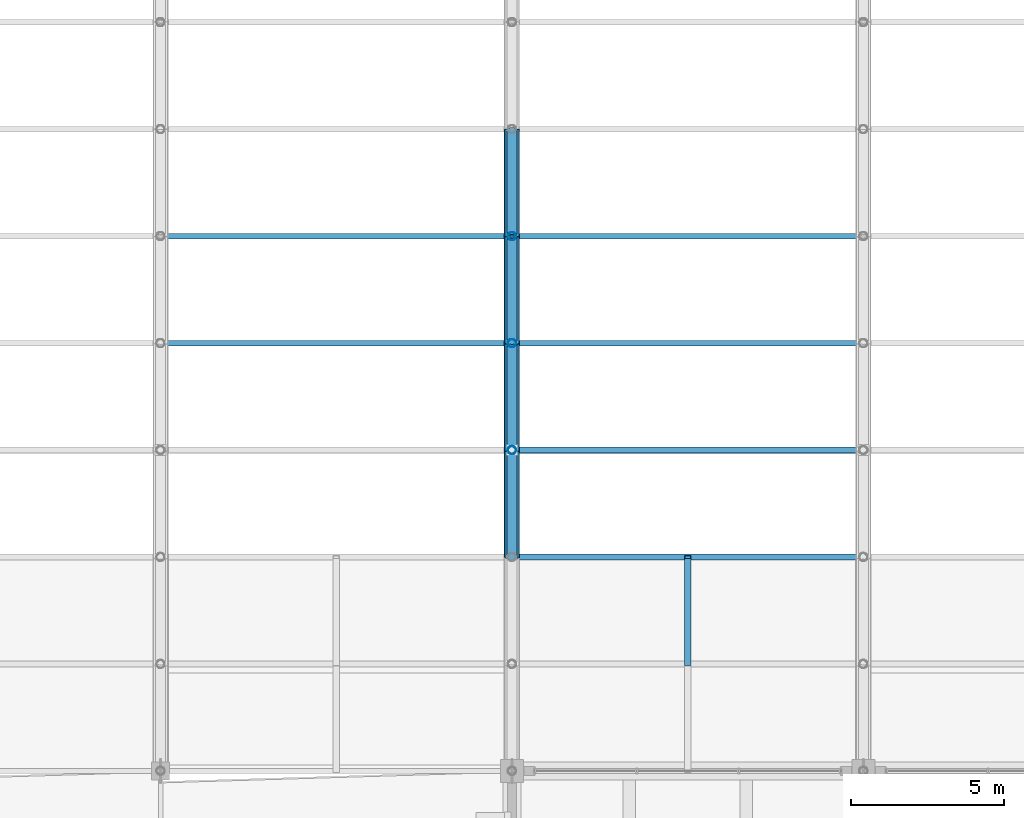
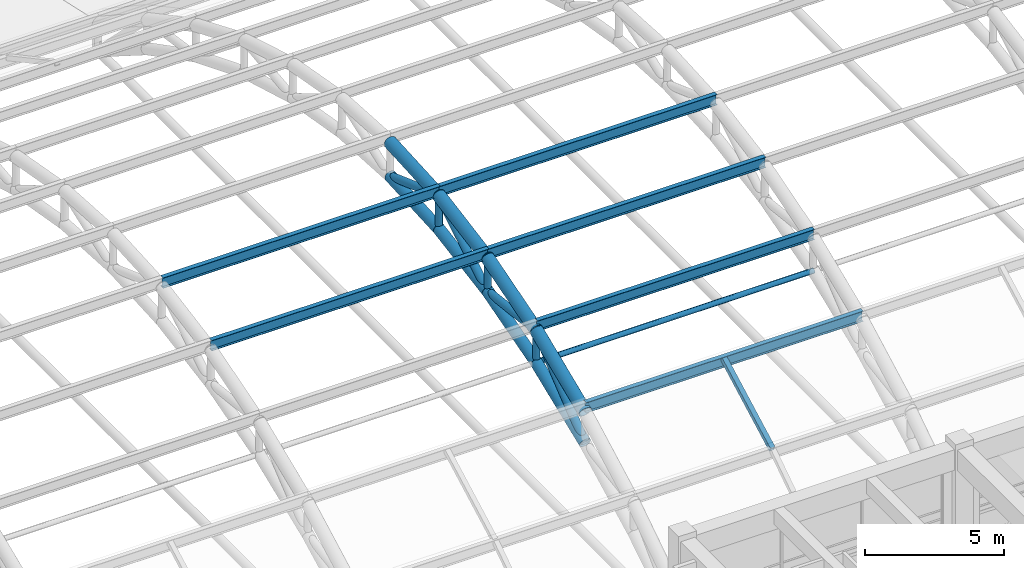
# One storey, part 20 of 154: 23 members.
"""IFC4 building model written with IfcOpenShell, lengths in metres."""

import ifcopenshell
import ifcopenshell.guid

model = None  # the IFC model being written
_history = None  # IfcOwnerHistory: only IFC2X3 demands one
_inside = {}  # id of a spatial element -> (the spatial element, [elements in it])
_under = {}  # id of a project, library or spatial element -> (it, [spatial elements below it])
_declared = {}  # id of a project -> (the project, [libraries it declares])
_typed = {}  # id of a type object -> (the type object, [elements of that type])
_made_of = {}  # id of a material, layer set ... -> (it, [elements and type objects made of it])


def new_model(schema):
    """Start an empty IFC model of exactly this schema.

    Asked for "IFC4X3", IfcOpenShell would pick the latest addendum, in which some entities
    have other attributes; the version numbers below select the first issue.
    IFC2X3 requires an IfcOwnerHistory on every rooted entity: one is made here for all.
    """
    global model, _history
    if schema == "IFC4X3":
        model = ifcopenshell.file(schema_version=(4, 3, 0, 0))
    else:
        model = ifcopenshell.file(schema=schema)
    _inside.clear()
    _under.clear()
    _declared.clear()
    _typed.clear()
    _made_of.clear()
    _history = None
    if model.schema == "IFC2X3":
        org = make("IfcOrganization", Name="unknown")
        user = make(
            "IfcPersonAndOrganization",
            ThePerson=make("IfcPerson", FamilyName="unknown"),
            TheOrganization=org,
        )
        app = make(
            "IfcApplication",
            ApplicationDeveloper=org,
            Version="unknown",
            ApplicationFullName="unknown",
            ApplicationIdentifier="unknown",
        )
        _history = make(
            "IfcOwnerHistory",
            OwningUser=user,
            OwningApplication=app,
            ChangeAction="ADDED",
            CreationDate=0,
        )
    return model


def make(cls, **values):
    """One entity of the class cls with the attributes given. An attribute that is None is left unset."""
    return model.create_entity(
        cls, **{name: value for name, value in values.items() if value is not None}
    )


def rooted(cls, **values):
    """An entity with a GlobalId (a new one), such as an element, a storey or a relation."""
    return make(cls, GlobalId=ifcopenshell.guid.new(), OwnerHistory=_history, **values)


def si_unit(unit_type, name, prefix=None):
    """IfcSIUnit, for example si_unit("LENGTHUNIT", "METRE", prefix="MILLI")."""
    return make("IfcSIUnit", UnitType=unit_type, Prefix=prefix, Name=name)


def assignment(units):
    """IfcUnitAssignment: the units of a project."""
    return None if units is None else make("IfcUnitAssignment", Units=units)


def point(xyz):
    """IfcCartesianPoint."""
    return None if xyz is None else make("IfcCartesianPoint", Coordinates=xyz)


def direction(xyz):
    """IfcDirection."""
    return None if xyz is None else make("IfcDirection", DirectionRatios=xyz)


def frame(location, z_axis=None, x_axis=None):
    """IfcAxis2Placement3D, a coordinate frame: its origin and axes. An axis left out is left unset."""
    return make(
        "IfcAxis2Placement3D",
        Location=point(location),
        Axis=direction(z_axis),
        RefDirection=direction(x_axis),
    )


def frame_2d(location, x_axis=None):
    """IfcAxis2Placement2D, a coordinate frame in the plane: its origin and x axis."""
    return make(
        "IfcAxis2Placement2D", Location=point(location), RefDirection=direction(x_axis)
    )


def origin():
    """The frame at (0, 0, 0) with its axes left unset."""
    return frame((0.0, 0.0, 0.0))


def origin_2d():
    """The frame at (0, 0) in the plane with its x axis left unset."""
    return frame_2d((0.0, 0.0))


def place(relative_to, where):
    """IfcLocalPlacement: puts the frame where relative to a parent placement (None: the world)."""
    return make(
        "IfcLocalPlacement", PlacementRelTo=relative_to, RelativePlacement=where
    )


def context(
    kind, dimensions, precision=None, world=None, true_north=None, identifier=None
):
    """IfcGeometricRepresentationContext, for example the 3D "Model" context."""
    return make(
        "IfcGeometricRepresentationContext",
        ContextIdentifier=identifier,
        ContextType=kind,
        CoordinateSpaceDimension=dimensions,
        Precision=precision,
        WorldCoordinateSystem=world,
        TrueNorth=true_north,
    )


def subcontext(parent, identifier, kind, view, scale=None):
    """IfcGeometricRepresentationSubContext, for example "Body" below "Model"."""
    return make(
        "IfcGeometricRepresentationSubContext",
        ContextIdentifier=identifier,
        ContextType=kind,
        ParentContext=parent,
        TargetScale=scale,
        TargetView=view,
    )


def project(units=None, contexts=None):
    """IfcProject with its units and contexts."""
    return rooted(
        "IfcProject",
        Name="project",
        RepresentationContexts=contexts,
        UnitsInContext=assignment(units),
    )


def spatial(cls, under=None, at=None, **own):
    """A site, building, storey or space (cls), placed at a placement, below another one or the project."""
    s = rooted(cls, ObjectPlacement=at, **own)
    if under is not None:
        _under.setdefault(under.id(), (under, []))[1].append(s)
    return s


def profile(cls, at=None, kind="AREA", **sizes):
    """A parametric profile (cls). Its sizes go by their IFC names, for example OverallWidth=200.0."""
    return make(cls, ProfileType=kind, Position=at, **sizes)


def hollow_rectangle(**sizes):
    """IfcRectangleHollowProfileDef."""
    return profile("IfcRectangleHollowProfileDef", **sizes)


def hollow_circle(**sizes):
    """IfcCircleHollowProfileDef."""
    return profile("IfcCircleHollowProfileDef", **sizes)


def i_section(**sizes):
    """IfcIShapeProfileDef."""
    return profile("IfcIShapeProfileDef", **sizes)


def extrude(swept, where, along, depth):
    """IfcExtrudedAreaSolid: the profile swept, set in the frame where, extruded along a direction by depth."""
    return make(
        "IfcExtrudedAreaSolid",
        SweptArea=swept,
        Position=where,
        ExtrudedDirection=direction(along),
        Depth=depth,
    )


def shape(context_of_items, identifier, shape_type, items):
    """IfcShapeRepresentation: the items that make up one representation, for example the "Body"."""
    return make(
        "IfcShapeRepresentation",
        ContextOfItems=context_of_items,
        RepresentationIdentifier=identifier,
        RepresentationType=shape_type,
        Items=items,
    )


def material(Name=None, Category=None):
    """IfcMaterial."""
    return make("IfcMaterial", Name=Name, Category=Category)


def material_profile(
    of_material, cross_section, Name=None, Category=None, Priority=None
):
    """IfcMaterialProfile: a cross section and its material."""
    return make(
        "IfcMaterialProfile",
        Name=Name,
        Material=of_material,
        Profile=cross_section,
        Priority=Priority,
        Category=Category,
    )


def profile_set(profiles, Name=None, composite=None):
    """IfcMaterialProfileSet."""
    return make(
        "IfcMaterialProfileSet",
        Name=Name,
        MaterialProfiles=profiles,
        CompositeProfile=composite,
    )


def made_of(thing, what):
    """Note that an element or type object is made of a material, layer set ...; save() writes the relation."""
    if what is not None:
        _made_of.setdefault(what.id(), (what, []))[1].append(thing)
    return thing


def type_object(cls, material=None, **own):
    """A type object (cls), such as IfcWallType, which elements share."""
    return made_of(rooted(cls, **own), material)


def element(
    cls,
    number,
    at=None,
    inside=None,
    cuts=None,
    type_object=None,
    material=None,
    context=None,
    identifier="Body",
    shape_type=None,
    held_by="IfcProductDefinitionShape",
    body=None,
    shapes=None,
    **own,
):
    """One element of the class cls, such as IfcWall. Its Tag is "e" and its number.

    at: its placement. inside: the storey or other place that contains it. cuts: it is an
    opening in that element (IfcRelVoidsElement). A single representation is given by context,
    identifier, shape_type and body (its items); several are given by shapes. held_by: the class
    of the entity that holds the representations. save() writes the other relations.
    """
    e = rooted(cls, Tag="e%d" % number, ObjectPlacement=at, **own)
    if body is not None:
        shapes = [shape(context, identifier, shape_type, body)]
    if shapes is not None:
        e.Representation = make(held_by, Representations=shapes)
    if inside is not None:
        _inside.setdefault(inside.id(), (inside, []))[1].append(e)
    if cuts is not None:
        rooted(
            "IfcRelVoidsElement", RelatingBuildingElement=cuts, RelatedOpeningElement=e
        )
    if type_object is not None:
        _typed.setdefault(type_object.id(), (type_object, []))[1].append(e)
    return made_of(e, material)


def aggregate(whole, parts):
    """IfcRelAggregates: a whole, such as a stair, and the parts it consists of."""
    return rooted("IfcRelAggregates", RelatingObject=whole, RelatedObjects=parts)


def save(model, path):
    """Write the relations noted so far, then the file.

    IfcRelAggregates (storeys below a building ...), IfcRelContainedInSpatialStructure (elements
    in a storey), IfcRelDefinesByType, IfcRelAssociatesMaterial and IfcRelDeclares: one each for
    every whole, place, type object, material and project.
    """
    for whole, parts in _under.values():
        aggregate(whole, parts)
    for where, things in _inside.values():
        rooted(
            "IfcRelContainedInSpatialStructure",
            RelatedElements=things,
            RelatingStructure=where,
        )
    for kind, things in _typed.values():
        rooted("IfcRelDefinesByType", RelatedObjects=things, RelatingType=kind)
    for what, things in _made_of.values():
        rooted("IfcRelAssociatesMaterial", RelatedObjects=things, RelatingMaterial=what)
    for by, libraries in _declared.values():
        rooted("IfcRelDeclares", RelatingContext=by, RelatedDefinitions=libraries)
    model.write(path)


model = new_model("IFC4")

# Units and contexts
model_context = context("Model", 3, precision=1e-05, world=origin(), true_north=direction((0.0, 1.0)))
body_context = subcontext(model_context, "Body", "Model", "MODEL_VIEW")
ifc_project = project(units=[si_unit("LENGTHUNIT", "METRE"), si_unit("AREAUNIT", "SQUARE_METRE"), si_unit("VOLUMEUNIT", "CUBIC_METRE"), si_unit("PLANEANGLEUNIT", "RADIAN"), si_unit("MASSUNIT", "GRAM", prefix="KILO")], contexts=[model_context])

# Site, building, storey
site_placement = place(None, origin())
site = spatial("IfcSite", under=ifc_project, at=site_placement, CompositionType="ELEMENT")
building_placement = place(site_placement, origin())
building = spatial("IfcBuilding", under=site, at=building_placement, Name="Ologun Quay Terminus", CompositionType="ELEMENT")
storey_placement = place(building_placement, frame((0.0, 0.0, 13.800048828125)))
storey = spatial("IfcBuildingStorey", under=building, at=storey_placement, Name="L03", CompositionType="ELEMENT", Elevation=13.800048828125)

# Members
ifc_material_1 = material(Name="Steel S355", Category="steel")
ifc_material_profile_1 = material_profile(ifc_material_1, hollow_circle(Radius=0.136474609375, WallThickness=0.010009765625, at=origin_2d()), Name="CHS 273x10")
ifc_profile_set_1 = profile_set([ifc_material_profile_1], Name="Steel S355")
member_type_1 = type_object("IfcMemberType", Name="Arch Truss Vertical Post CHS273", PredefinedType="STRUT", material=ifc_profile_set_1)
member_1_placement = place(storey_placement, frame((57.5, 46.5, 5.429931640625), z_axis=(0.0, 0.0, 1.0), x_axis=(1.0, 0.0, 0.0)))
element("IfcMember", 1, at=member_1_placement, inside=storey, type_object=member_type_1, Name="AW2 Arch Web Post 6-N3", PredefinedType="STRUT", context=body_context, shape_type="SweptSolid", body=[
    extrude(hollow_circle(Radius=0.136474609375, WallThickness=0.010009765625, at=origin_2d()), origin(), (0.0, 0.0, 1.0), 1.409912109375),
])
member_2_placement = place(storey_placement, frame((57.5, 50.0, 6.435546875), z_axis=(0.0, 0.0, 1.0), x_axis=(1.0, 0.0, 0.0)))
element("IfcMember", 2, at=member_2_placement, inside=storey, type_object=member_type_1, Name="AW2 Arch Web Post 6-N4", PredefinedType="STRUT", context=body_context, shape_type="SweptSolid", body=[
    extrude(hollow_circle(Radius=0.136474609375, WallThickness=0.010009765625, at=origin_2d()), origin(), (0.0, 0.0, 1.0), 1.44873046875),
])
member_3_placement = place(storey_placement, frame((57.5, 53.5, 7.038818359375), z_axis=(0.0, 0.0, 1.0), x_axis=(1.0, 0.0, 0.0)))
element("IfcMember", 3, at=member_3_placement, inside=storey, type_object=member_type_1, Name="AW2 Arch Web Post 6-N5", PredefinedType="STRUT", context=body_context, shape_type="SweptSolid", body=[
    extrude(hollow_circle(Radius=0.136474609375, WallThickness=0.010009765625, at=origin_2d()), origin(), (0.0, 0.0, 1.0), 1.47216796875),
])
ifc_material_2 = material(Name="Steel S355", Category="steel")
ifc_material_profile_2 = material_profile(ifc_material_2, hollow_circle(Radius=0.161865234375, WallThickness=0.010009765625, at=origin_2d()), Name="CHS 323.9x10")
ifc_profile_set_2 = profile_set([ifc_material_profile_2], Name="Steel S355")
member_type_2 = type_object("IfcMemberType", Name="Arch Truss Web Diagonal CHS323", PredefinedType="BRACE", material=ifc_profile_set_2)
member_4_placement = place(storey_placement, frame((57.5, 43.0, 4.022216796875), z_axis=(0.0, 0.77895148125, 0.627084196785), x_axis=(-1.0, 0.0, 0.0)))
element("IfcMember", 4, at=member_4_placement, inside=storey, type_object=member_type_2, Name="AW1 Arch Web Diagonal 6-P3", PredefinedType="BRACE", context=body_context, shape_type="SweptSolid", body=[
    extrude(hollow_circle(Radius=0.161865234375, WallThickness=0.010009765625, at=origin_2d()), origin(), (0.0, 0.0, 1.0), 4.4931640625),
])
member_5_placement = place(storey_placement, frame((57.5, 46.5, 6.83984375), z_axis=(0.0, 0.993394361, -0.114750353084), x_axis=(-1.0, 0.0, 0.0)))
element("IfcMember", 5, at=member_5_placement, inside=storey, type_object=member_type_2, Name="AW1 Arch Web Diagonal 6-P4", PredefinedType="BRACE", context=body_context, shape_type="SweptSolid", body=[
    extrude(hollow_circle(Radius=0.161865234375, WallThickness=0.010009765625, at=origin_2d()), origin(), (0.0, 0.0, 1.0), 3.523193359375),
])
member_6_placement = place(storey_placement, frame((57.5, 50.0, 6.435546875), z_axis=(0.0, 0.860144332958, 0.510050709715), x_axis=(-1.0, 0.0, 0.0)))
element("IfcMember", 6, at=member_6_placement, inside=storey, type_object=member_type_2, Name="AW1 Arch Web Diagonal 6-P5", PredefinedType="BRACE", context=body_context, shape_type="SweptSolid", body=[
    extrude(hollow_circle(Radius=0.161865234375, WallThickness=0.010009765625, at=origin_2d()), origin(), (0.0, 0.0, 1.0), 4.069091796875),
])
member_7_placement = place(storey_placement, frame((57.5, 53.5, 8.510986328125), z_axis=(0.0, 0.939942650142, -0.34133241048), x_axis=(-1.0, 0.0, 0.0)))
element("IfcMember", 7, at=member_7_placement, inside=storey, type_object=member_type_2, Name="AW1 Arch Web Diagonal 6-P6", PredefinedType="BRACE", context=body_context, shape_type="SweptSolid", body=[
    extrude(hollow_circle(Radius=0.161865234375, WallThickness=0.010009765625, at=origin_2d()), origin(), (0.0, 0.0, 1.0), 3.7236328125),
])
ifc_material_3 = material(Name="Steel S355", Category="steel")
ifc_material_profile_3 = material_profile(ifc_material_3, hollow_circle(Radius=0.228515625, WallThickness=0.01611328125, at=origin_2d()), Name="CHS 457x16")
ifc_profile_set_3 = profile_set([ifc_material_profile_3], Name="Steel S355")
member_type_3 = type_object("IfcMemberType", Name="Parabolic Arch Bottom Chord CHS457", PredefinedType="CHORD", material=ifc_profile_set_3)
member_8_placement = place(storey_placement, frame((57.5, 43.0, 4.022216796875), z_axis=(0.0, 0.92776983497, 0.373152962363), x_axis=(-1.0, 0.0, 0.0)))
element("IfcMember", 8, at=member_8_placement, inside=storey, type_object=member_type_3, Name="AC2 Arch Bottom Chord 6-P3", PredefinedType="CHORD", context=body_context, shape_type="SweptSolid", body=[
    extrude(hollow_circle(Radius=0.228515625, WallThickness=0.01611328125, at=origin_2d()), origin(), (0.0, 0.0, 1.0), 3.7724609375),
])
member_9_placement = place(storey_placement, frame((57.5, 46.5, 5.429931640625), z_axis=(0.0, 0.961115578425, 0.276146419331), x_axis=(-1.0, 0.0, 0.0)))
element("IfcMember", 9, at=member_9_placement, inside=storey, type_object=member_type_3, Name="AC2 Arch Bottom Chord 6-P4", PredefinedType="CHORD", context=body_context, shape_type="SweptSolid", body=[
    extrude(hollow_circle(Radius=0.228515625, WallThickness=0.01611328125, at=origin_2d()), origin(), (0.0, 0.0, 1.0), 3.6416015625),
])
member_10_placement = place(storey_placement, frame((57.5, 50.0, 6.435546875), z_axis=(0.0, 0.985468449185, 0.16985857547), x_axis=(-1.0, 0.0, 0.0)))
element("IfcMember", 10, at=member_10_placement, inside=storey, type_object=member_type_3, Name="AC2 Arch Bottom Chord 6-P5", PredefinedType="CHORD", context=body_context, shape_type="SweptSolid", body=[
    extrude(hollow_circle(Radius=0.228515625, WallThickness=0.01611328125, at=origin_2d()), origin(), (0.0, 0.0, 1.0), 3.551513671875),
])
member_11_placement = place(storey_placement, frame((57.5, 53.5, 7.038818359375), z_axis=(0.0, 0.998352239869, 0.057382969144), x_axis=(-1.0, 0.0, 0.0)))
element("IfcMember", 11, at=member_11_placement, inside=storey, type_object=member_type_3, Name="AC2 Arch Bottom Chord 6-P6", PredefinedType="CHORD", context=body_context, shape_type="SweptSolid", body=[
    extrude(hollow_circle(Radius=0.228515625, WallThickness=0.01611328125, at=origin_2d()), origin(), (0.0, 0.0, 1.0), 3.505859375),
])
ifc_material_4 = material(Name="Steel S355", Category="steel")
ifc_material_profile_4 = material_profile(ifc_material_4, hollow_circle(Radius=0.25390625, WallThickness=0.01611328125, at=origin_2d()), Name="CHS 508x16")
ifc_profile_set_4 = profile_set([ifc_material_profile_4], Name="Steel S355")
member_type_4 = type_object("IfcMemberType", Name="Parabolic Arch Top Chord CHS508", PredefinedType="CHORD", material=ifc_profile_set_4)
member_12_placement = place(storey_placement, frame((57.5, 43.0, 5.377685546875), z_axis=(0.0, 0.922718523726, 0.385474416755), x_axis=(-1.0, 0.0, 0.0)))
element("IfcMember", 12, at=member_12_placement, inside=storey, type_object=member_type_4, Name="Arch Top Chord 6-P3", PredefinedType="CHORD", context=body_context, shape_type="SweptSolid", body=[
    extrude(hollow_circle(Radius=0.25390625, WallThickness=0.01611328125, at=origin_2d()), origin(), (0.0, 0.0, 1.0), 3.793212890625),
])
member_13_placement = place(storey_placement, frame((57.5, 46.5, 6.83984375), z_axis=(0.0, 0.958244712677, 0.285949419701), x_axis=(-1.0, 0.0, 0.0)))
element("IfcMember", 13, at=member_13_placement, inside=storey, type_object=member_type_4, Name="Arch Top Chord 6-P4", PredefinedType="CHORD", context=body_context, shape_type="SweptSolid", body=[
    extrude(hollow_circle(Radius=0.25390625, WallThickness=0.01611328125, at=origin_2d()), origin(), (0.0, 0.0, 1.0), 3.652587890625),
])
member_14_placement = place(storey_placement, frame((57.5, 50.0, 7.88427734375), z_axis=(0.0, 0.984344289591, 0.176256402859), x_axis=(-1.0, 0.0, 0.0)))
element("IfcMember", 14, at=member_14_placement, inside=storey, type_object=member_type_4, Name="Arch Top Chord 6-P5", PredefinedType="CHORD", context=body_context, shape_type="SweptSolid", body=[
    extrude(hollow_circle(Radius=0.25390625, WallThickness=0.01611328125, at=origin_2d()), origin(), (0.0, 0.0, 1.0), 3.5556640625),
])
member_15_placement = place(storey_placement, frame((57.5, 53.5, 8.510986328125), z_axis=(0.0, 0.998222121157, 0.0596036646), x_axis=(-1.0, 0.0, 0.0)))
element("IfcMember", 15, at=member_15_placement, inside=storey, type_object=member_type_4, Name="Arch Top Chord 6-P6", PredefinedType="CHORD", context=body_context, shape_type="SweptSolid", body=[
    extrude(hollow_circle(Radius=0.25390625, WallThickness=0.01611328125, at=origin_2d()), origin(), (0.0, 0.0, 1.0), 3.50634765625),
])
ifc_material_5 = material(Name="Steel S355", Category="steel")
ifc_material_profile_5 = material_profile(ifc_material_5, hollow_circle(Radius=0.109619140625, WallThickness=0.008056640625, at=origin_2d()), Name="CHS 219.1x8")
ifc_profile_set_5 = profile_set([ifc_material_profile_5], Name="Steel S355")
member_type_5 = type_object("IfcMemberType", Name="Roof Plan Wind Brace Collector CHS219", PredefinedType="STRUT", material=ifc_profile_set_5)
member_16_placement = place(storey_placement, frame((57.5, 46.5, 5.429931640625), z_axis=(1.0, 0.0, 0.0), x_axis=(0.0, 1.0, 0.0)))
element("IfcMember", 16, at=member_16_placement, inside=storey, type_object=member_type_5, Name="WB2 Collector Strut B6-K3", PredefinedType="STRUT", context=body_context, shape_type="SweptSolid", body=[
    extrude(hollow_circle(Radius=0.109619140625, WallThickness=0.008056640625, at=origin_2d()), origin(), (0.0, 0.0, 1.0), 11.5),
])
ifc_material_6 = material(Name="Steel S355", Category="steel")
ifc_material_profile_6 = material_profile(ifc_material_6, hollow_rectangle(XDim=0.199951171875, YDim=0.199951171875, WallThickness=0.008056640625, at=origin_2d()), Name="SHS 200x200x8")
ifc_profile_set_6 = profile_set([ifc_material_profile_6], Name="Steel S355")
member_type_6 = type_object("IfcMemberType", Name="Skylight Cross Transom Bar RHS150", PredefinedType="STRUT", material=ifc_profile_set_6)
member_17_placement = place(storey_placement, frame((63.25, 39.5, 3.851806640625), z_axis=(0.0, 0.880967864924, 0.473176099324), x_axis=(-1.0, 0.0, 0.0)))
element("IfcMember", 17, at=member_17_placement, inside=storey, type_object=member_type_6, Name="SK2 Eave Secondary Rafter B6-P2", PredefinedType="STRUT", context=body_context, shape_type="SweptSolid", body=[
    extrude(hollow_rectangle(XDim=0.199951171875, YDim=0.199951171875, WallThickness=0.008056640625, at=origin_2d()), origin(), (0.0, 0.0, 1.0), 3.972900390625),
])
ifc_material_7 = material(Name="Steel S355", Category="steel")
ifc_material_profile_7 = material_profile(ifc_material_7, i_section(OverallWidth=0.1904296875, OverallDepth=0.45703125, WebThickness=0.009033203125, FlangeThickness=0.014404296875, at=origin_2d()), Name="UKB 457x191x74")
ifc_profile_set_7 = profile_set([ifc_material_profile_7], Name="Steel S355")
member_type_7 = type_object("IfcMemberType", Name="Train Shed Primary Roof Purlin UKB457", PredefinedType="PURLIN", material=ifc_profile_set_7)
for number, where, z_axis, x_axis, name in (
    (18, (46.0, 50.0, 8.11279296875), (1.0, 0.0, 0.0), (0.0, 1.0, 0.0), "PR1 Roof Purlin B5-N4"),
    (19, (46.0, 53.5, 8.739501953125), (1.0, 0.0, 0.0), (0.0, 1.0, 0.0), "PR1 Roof Purlin B5-N5"),
    (20, (57.5, 43.0, 5.606201171875), (1.0, 0.0, 0.0), (0.0, 1.0, 0.0), "PR1 Roof Purlin B6-N2"),
    (21, (57.5, 46.5, 7.068359375), (1.0, 0.0, 0.0), (0.0, 1.0, 0.0), "PR1 Roof Purlin B6-N3"),
    (22, (57.5, 50.0, 8.11279296875), (1.0, 0.0, 0.0), (0.0, 1.0, 0.0), "PR1 Roof Purlin B6-N4"),
    (23, (57.5, 53.5, 8.739501953125), (1.0, 0.0, 0.0), (0.0, 1.0, 0.0), "PR1 Roof Purlin B6-N5"),
):
    element("IfcMember", number, at=place(storey_placement, frame(where, z_axis=z_axis, x_axis=x_axis)), inside=storey, type_object=member_type_7, Name=name, PredefinedType="PURLIN", context=body_context, shape_type="SweptSolid", body=[
        extrude(i_section(OverallWidth=0.1904296875, OverallDepth=0.45703125, WebThickness=0.009033203125, FlangeThickness=0.014404296875, at=origin_2d()), origin(), (0.0, 0.0, 1.0), 11.5),
    ])

save(model, "model.ifc")
